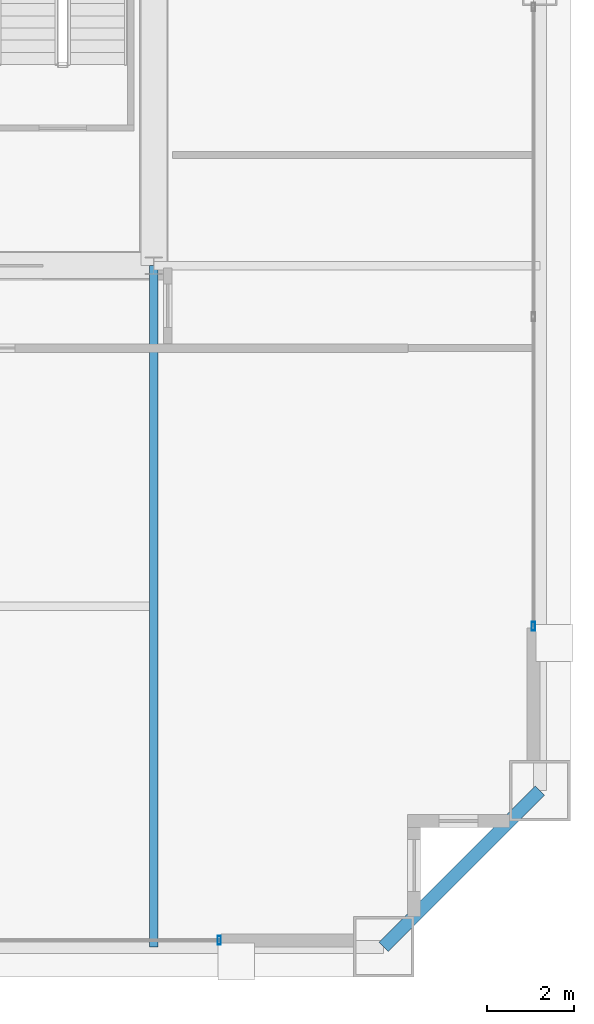
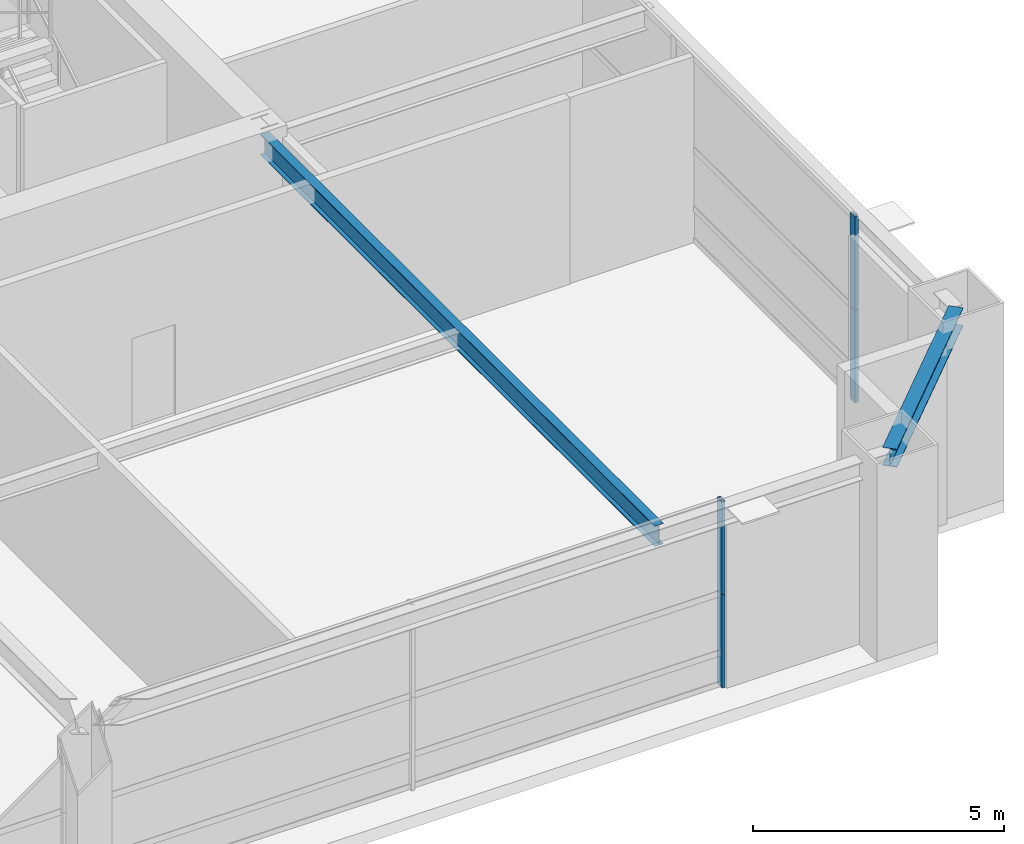
# One storey, part 16 of 34: 4 members, 2 beams, 2 elements without a shape of their own.
"""IFC4 building model written with IfcOpenShell, lengths in metres."""

from ifc_helpers import new_model, si_unit, direction, frame, origin, origin_2d, place, context, subcontext, project, spatial, hollow_rectangle, i_section, extrude, source, transform, mapped, material, layer, layer_set, material_profile, profile_set, type_object, element, aggregate, save


model = new_model("IFC4")

# Units and contexts
model_context = context("Model", 3, precision=1e-05, world=origin(), true_north=direction((0.0, 1.0)))
body_context = subcontext(model_context, "Body", "Model", "MODEL_VIEW")
ifc_project = project(units=[si_unit("LENGTHUNIT", "METRE"), si_unit("AREAUNIT", "SQUARE_METRE"), si_unit("VOLUMEUNIT", "CUBIC_METRE"), si_unit("PLANEANGLEUNIT", "RADIAN"), si_unit("MASSUNIT", "GRAM", prefix="KILO"), si_unit("THERMODYNAMICTEMPERATUREUNIT", "KELVIN"), si_unit("POWERUNIT", "WATT")], contexts=[model_context])

# Site, building, storey
site_placement = place(None, origin())
site = spatial("IfcSite", under=ifc_project, at=site_placement, CompositionType="ELEMENT")
building_placement = place(site_placement, origin())
building = spatial("IfcBuilding", under=site, at=building_placement, Name="Yuzanri Waterfront Tower", CompositionType="ELEMENT")
storey_placement = place(building_placement, frame((0.0, 0.0, 171.60009765625)))
storey = spatial("IfcBuildingStorey", under=building, at=storey_placement, Name="L45", CompositionType="ELEMENT", Elevation=171.60009765625)

# Beams
ifc_material_1 = material(Name="Steel Q355B", Category="steel")
ifc_material_profile_1 = material_profile(ifc_material_1, i_section(OverallWidth=0.300048828125, OverallDepth=0.43994140625, WebThickness=0.010986328125, FlangeThickness=0.01806640625, at=origin_2d()), Name="HM 440x300x11x18")
ifc_profile_set_1 = profile_set([ifc_material_profile_1], Name="Steel Q355B")
beam_type_1 = type_object("IfcBeamType", Name="Perimeter Spandrel Q355B HM 440x300", PredefinedType="SPANDREL", material=ifc_profile_set_1)
shared_shape_1 = source(origin(), body_context, "Body", "SweptSolid", [
    extrude(i_section(OverallWidth=0.300048828125, OverallDepth=0.43994140625, WebThickness=0.010986328125, FlangeThickness=0.01806640625, at=origin_2d()), origin(), (0.0, 0.0, 1.0), 5.09130859375),
])
beam_1_placement = place(storey_placement, frame((55.5, 3.699951171875, 4.2998046875), z_axis=(0.707106781187, 0.707106781187, 0.0), x_axis=(-0.707106781187, 0.707106781187, 0.0)))
element("IfcBeam", 1, at=beam_1_placement, inside=storey, type_object=beam_type_1, Name="L45 Perimeter Spandrel S3-E1", PredefinedType="SPANDREL", context=body_context, shape_type="MappedRepresentation", body=[
    mapped(shared_shape_1, transform((0.0, 0.0, 0.0), scale=1.0)),
])
ifc_material_2 = material(Name="Steel Q355B", Category="steel")
ifc_material_profile_2 = material_profile(ifc_material_2, i_section(OverallWidth=0.199951171875, OverallDepth=0.5, WebThickness=0.010009765625, FlangeThickness=0.01611328125, at=origin_2d()), Name="HN 500x200x10x16")
ifc_profile_set_2 = profile_set([ifc_material_profile_2], Name="Steel Q355B")
beam_type_2 = type_object("IfcBeamType", Name="Secondary Floor Beam Q355B HN 500x200", PredefinedType="BEAM", material=ifc_profile_set_2)
shared_shape_2 = source(origin(), body_context, "Body", "SweptSolid", [
    extrude(i_section(OverallWidth=0.199951171875, OverallDepth=0.5, WebThickness=0.010009765625, FlangeThickness=0.01611328125, at=origin_2d()), origin(), (0.0, 0.0, 1.0), 15.699951171875),
])
beam_2_placement = place(storey_placement, frame((50.199951171875, 19.39990234375, 4.27001953125), z_axis=(0.0, -1.0, 0.0), x_axis=(1.0, 0.0, 0.0)))
element("IfcBeam", 2, at=beam_2_placement, inside=storey, type_object=beam_type_2, Name="L45 South-East Core Line Beam", PredefinedType="BEAM", context=body_context, shape_type="MappedRepresentation", body=[
    mapped(shared_shape_2, transform((0.0, 0.0, 0.0), scale=1.0)),
])

# Curtain wall, member
ifc_material_3 = material(Name="Anodized Architectural Bronze", Category="metal")
ifc_layer = layer(ifc_material_3, 0.159912109375)
ifc_layer_set = layer_set([ifc_layer], Name="Anodized Architectural Bronze")
curtain_wall_type = type_object("IfcCurtainWallType", Name="Anodized Bronze Sky-Lobby Triple-Glazed Feature Curtain Wall 7500", PredefinedType="NOTDEFINED", material=ifc_layer_set)
curtain_wall_1_placement = place(storey_placement, origin())
curtain_wall_1 = element("IfcCurtainWall", 3, at=curtain_wall_1_placement, inside=storey, type_object=curtain_wall_type, Name="L45 Curtain Wall CW-L45-SR", PredefinedType="NOTDEFINED")
ifc_material_4 = material(Name="Anodized Architectural Bronze", Category="metal")
ifc_material_profile_3 = material_profile(ifc_material_4, hollow_rectangle(XDim=0.074951171875, YDim=0.199951171875, WallThickness=0.00390625, at=origin_2d()), Name="CWM 75x200")
ifc_profile_set_3 = profile_set([ifc_material_profile_3], Name="Anodized Architectural Bronze")
member_type = type_object("IfcMemberType", Name="Anodized Bronze Primary Curtain-Wall Mullion 75x200", PredefinedType="MULLION", material=ifc_profile_set_3)
shared_shape_3 = source(origin(), body_context, "Body", "SweptSolid", [
    extrude(hollow_rectangle(XDim=0.074951171875, YDim=0.199951171875, WallThickness=0.00390625, at=origin_2d()), origin(), (0.0, 0.0, 1.0), 2.258056640625),
])
member_1_placement = place(storey_placement, frame((51.7099609375, 3.85009765625, 2.261962890625), z_axis=(0.0, 0.0, 1.0), x_axis=(1.0, 0.0, 0.0)))
member_1 = element("IfcMember", 4, at=member_1_placement, type_object=member_type, Name="CW-L45-SR Upper Mullion 02", PredefinedType="MULLION", context=body_context, shape_type="MappedRepresentation", body=[
    mapped(shared_shape_3, transform((0.0, 0.0, 0.0), scale=1.0)),
])

curtain_wall_2_placement = place(storey_placement, origin())
curtain_wall_2 = element("IfcCurtainWall", 5, at=curtain_wall_2_placement, inside=storey, type_object=curtain_wall_type, Name="L45 Curtain Wall CW-L45-EL", PredefinedType="NOTDEFINED")
member_2_placement = place(storey_placement, frame((58.949951171875, 11.090087890625, 2.261962890625), z_axis=(0.0, 0.0, 1.0), x_axis=(1.0, 0.0, 0.0)))
member_2 = element("IfcMember", 6, at=member_2_placement, type_object=member_type, Name="CW-L45-EL Upper Mullion 00", PredefinedType="MULLION", context=body_context, shape_type="MappedRepresentation", body=[
    mapped(shared_shape_3, transform((0.0, 0.0, 0.0), scale=1.0)),
])

# Member
shared_shape_4 = source(origin(), body_context, "Body", "SweptSolid", [
    extrude(hollow_rectangle(XDim=0.074951171875, YDim=0.199951171875, WallThickness=0.00390625, at=origin_2d()), origin(), (0.0, 0.0, 1.0), 2.2578125),
])
member_3_placement = place(storey_placement, frame((51.7099609375, 3.85009765625, 0.0), z_axis=(0.0, 0.0, 1.0), x_axis=(1.0, 0.0, 0.0)))
member_3 = element("IfcMember", 7, at=member_3_placement, type_object=member_type, Name="CW-L45-SR Lower Mullion 02", PredefinedType="MULLION", context=body_context, shape_type="MappedRepresentation", body=[
    mapped(shared_shape_4, transform((0.0, 0.0, 0.0), scale=1.0)),
])

aggregate(curtain_wall_1, [member_3, member_1])

member_4_placement = place(storey_placement, frame((58.949951171875, 11.090087890625, 0.0), z_axis=(0.0, 0.0, 1.0), x_axis=(1.0, 0.0, 0.0)))
member_4 = element("IfcMember", 8, at=member_4_placement, type_object=member_type, Name="CW-L45-EL Lower Mullion 00", PredefinedType="MULLION", context=body_context, shape_type="MappedRepresentation", body=[
    mapped(shared_shape_4, transform((0.0, 0.0, 0.0), scale=1.0)),
])

aggregate(curtain_wall_2, [member_4, member_2])

save(model, "model.ifc")
